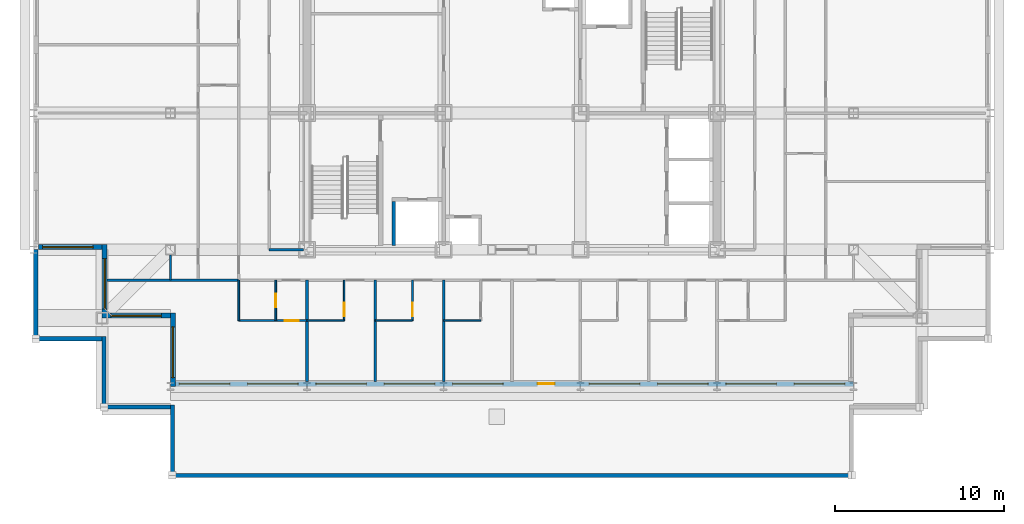
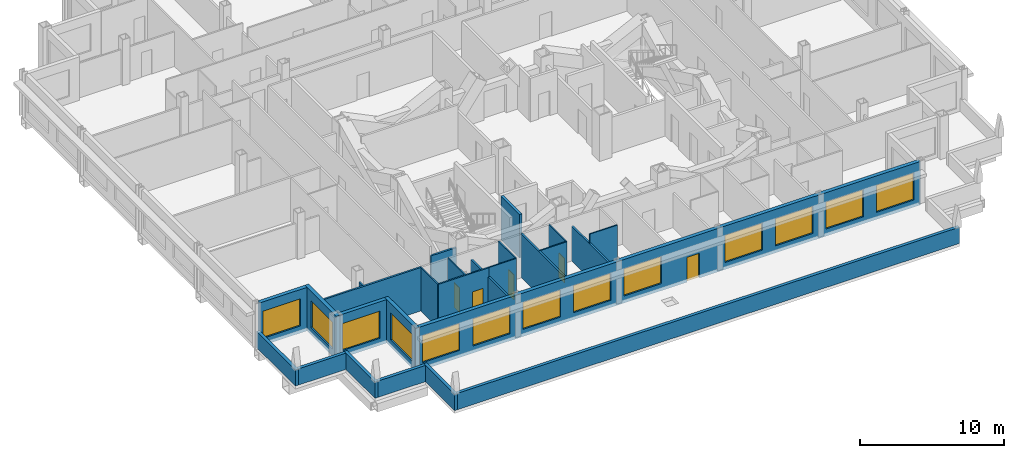
# One storey, part 7 of 15: 26 walls, 13 windows, 5 doors, 18 openings.
"""IFC4 building model written with IfcOpenShell, lengths in metres."""

from ifc_helpers import new_model, si_unit, direction, frame, frame_2d, origin, place, context, subcontext, project, spatial, rectangle, extrude, material, layer, layer_set, type_object, element, fill, save


model = new_model("IFC4")

# Units and contexts
model_context = context("Model", 3, precision=1e-05, world=origin(), true_north=direction((0.0, 1.0)))
body_context = subcontext(model_context, "Body", "Model", "MODEL_VIEW")
ifc_project = project(units=[si_unit("LENGTHUNIT", "METRE"), si_unit("AREAUNIT", "SQUARE_METRE"), si_unit("VOLUMEUNIT", "CUBIC_METRE"), si_unit("PLANEANGLEUNIT", "RADIAN"), si_unit("MASSUNIT", "GRAM", prefix="KILO")], contexts=[model_context])

# Site, building, storey
site_placement = place(None, origin())
site = spatial("IfcSite", under=ifc_project, at=site_placement, CompositionType="ELEMENT")
building_placement = place(site_placement, origin())
building = spatial("IfcBuilding", under=site, at=building_placement, Name="Kopane Lantern Tower", CompositionType="ELEMENT")
storey_placement = place(building_placement, frame((0.0, 0.0, 242.39990234375)))
storey = spatial("IfcBuildingStorey", under=building, at=storey_placement, Name="L62", CompositionType="ELEMENT", Elevation=242.39990234375)

# Wall, opening, door
ifc_material_1 = material(Name="Gypsum board on steel studs", Category="steel")
ifc_layer_1 = layer(ifc_material_1, 0.1201171875)
ifc_layer_set_1 = layer_set([ifc_layer_1], Name="APARTMENT INTERNAL WALL 120")
wall_type_1 = type_object("IfcWallType", Name="APARTMENT INTERNAL WALL 120", PredefinedType="PARTITIONING", material=ifc_layer_set_1)
wall_1_placement = place(storey_placement, frame((12.14990234375, 20.10009765625, 0.0), z_axis=(0.0, 0.0, 1.0), x_axis=(1.0, 0.0, 0.0)))
wall_1 = element("IfcWall", 1, at=wall_1_placement, inside=storey, type_object=wall_type_1, Name="Apartment Internal Wall 120 L62", PredefinedType="PARTITIONING", context=body_context, shape_type="SweptSolid", body=[
    extrude(rectangle(XDim=4.050048828125, YDim=0.1201171875, at=frame_2d((2.02490234375, 0.0))), origin(), (0.0, 0.0, 1.0), 3.690185546875),
])
opening_1_placement = place(wall_1_placement, frame((2.72509765625, 0.0, 0.0)))
opening_1 = element("IfcOpeningElement", 2, at=opening_1_placement, cuts=wall_1, Name="Opening L62-049", PredefinedType="OPENING", context=body_context, shape_type="SweptSolid", body=[
    extrude(rectangle(XDim=0.85009765625, YDim=2.10009765625, at=frame_2d((0.425048828125, 1.050048828125))), frame((0.0, 0.070068359375, 0.0), z_axis=(0.0, -1.0, 0.0), x_axis=(1.0, 0.0, 0.0)), (0.0, 0.0, 1.0), 0.14013671875),
])
ifc_material_2 = material(Name="Timber door set", Category="wood")
door_type_1 = type_object("IfcDoorType", Name="DOOR D4 850x2100", OperationType="SINGLE_SWING_LEFT", PredefinedType="DOOR", material=ifc_material_2)
door_1_placement = place(opening_1_placement, origin())
door_1 = element("IfcDoor", 3, at=door_1_placement, inside=storey, type_object=door_type_1, Name="Door L62-049", OperationType="SINGLE_SWING_LEFT", OverallHeight=2.10009765625, OverallWidth=0.85009765625, PredefinedType="DOOR", context=body_context, shape_type="SweptSolid", body=[
    extrude(rectangle(XDim=0.85009765625, YDim=2.10009765625, at=frame_2d((0.425048828125, 1.050048828125))), frame((0.0, 0.02490234375, 0.0), z_axis=(0.0, -1.0, 0.0), x_axis=(1.0, 0.0, 0.0)), (0.0, 0.0, 1.0), 0.050048828125),
])
fill(opening_1, door_1)

# Walls
wall_2_placement = place(storey_placement, frame((8.10009765625, 22.5, 0.0), z_axis=(0.0, 0.0, 1.0), x_axis=(0.0, 1.0, 0.0)))
element("IfcWall", 4, at=wall_2_placement, inside=storey, type_object=wall_type_1, Name="Apartment Internal Wall 120 L62", PredefinedType="PARTITIONING", context=body_context, shape_type="SweptSolid", body=[
    extrude(rectangle(XDim=1.5, YDim=0.1201171875, at=frame_2d((0.75, 0.0))), origin(), (0.0, 0.0, 1.0), 2.927978515625),
])
ifc_material_3 = material(Name="Moisture-resistant board on steel studs", Category="steel")
ifc_layer_2 = layer(ifc_material_3, 0.10009765625)
ifc_layer_set_2 = layer_set([ifc_layer_2], Name="BATHROOM WALL 100")
wall_type_2 = type_object("IfcWallType", Name="BATHROOM WALL 100", PredefinedType="PARTITIONING", material=ifc_layer_set_2)
wall_3_placement = place(storey_placement, frame((16.199951171875, 20.10009765625, 0.0), z_axis=(0.0, 0.0, 1.0), x_axis=(1.0, 0.0, 0.0)))
element("IfcWall", 5, at=wall_3_placement, inside=storey, type_object=wall_type_2, Name="Bathroom Wall 100 L62", PredefinedType="PARTITIONING", context=body_context, shape_type="SweptSolid", body=[
    extrude(rectangle(XDim=2.199951171875, YDim=0.10009765625, at=frame_2d((1.10009765625, 0.0))), origin(), (0.0, 0.0, 1.0), 3.690185546875),
])

# Wall, opening, door
wall_4_placement = place(storey_placement, frame((18.39990234375, 22.5, 0.0), z_axis=(0.0, 0.0, 1.0), x_axis=(0.0, -1.0, 0.0)))
wall_4 = element("IfcWall", 6, at=wall_4_placement, inside=storey, type_object=wall_type_2, Name="Bathroom Wall 100 L62", PredefinedType="PARTITIONING", context=body_context, shape_type="SweptSolid", body=[
    extrude(rectangle(XDim=2.39990234375, YDim=0.10009765625, at=frame_2d((1.199951171875, 0.0))), origin(), (0.0, 0.0, 1.0), 3.690185546875),
])
opening_2_placement = place(wall_4_placement, frame((1.35009765625, 0.0, 0.0)))
opening_2 = element("IfcOpeningElement", 7, at=opening_2_placement, cuts=wall_4, Name="Opening L62-008", PredefinedType="OPENING", context=body_context, shape_type="SweptSolid", body=[
    extrude(rectangle(XDim=0.800048828125, YDim=2.10009765625, at=frame_2d((0.39990234375, 1.050048828125))), frame((0.0, 0.06005859375, 0.0), z_axis=(0.0, -1.0, 0.0), x_axis=(1.0, 0.0, 0.0)), (0.0, 0.0, 1.0), 0.1201171875),
])
ifc_material_4 = material(Name="Timber door set", Category="wood")
door_type_2 = type_object("IfcDoorType", Name="DOOR D2 800x2100", OperationType="SINGLE_SWING_LEFT", PredefinedType="DOOR", material=ifc_material_4)
door_2_placement = place(opening_2_placement, origin())
door_2 = element("IfcDoor", 8, at=door_2_placement, inside=storey, type_object=door_type_2, Name="Door L62-008", OperationType="SINGLE_SWING_LEFT", OverallHeight=2.10009765625, OverallWidth=0.800048828125, PredefinedType="DOOR", context=body_context, shape_type="SweptSolid", body=[
    extrude(rectangle(XDim=0.800048828125, YDim=2.10009765625, at=frame_2d((0.39990234375, 1.050048828125))), frame((0.0, 0.02490234375, 0.0), z_axis=(0.0, -1.0, 0.0), x_axis=(1.0, 0.0, 0.0)), (0.0, 0.0, 1.0), 0.050048828125),
])
fill(opening_2, door_2)

# Wall
wall_5_placement = place(storey_placement, frame((20.25, 20.10009765625, 0.0), z_axis=(0.0, 0.0, 1.0), x_axis=(1.0, 0.0, 0.0)))
element("IfcWall", 9, at=wall_5_placement, inside=storey, type_object=wall_type_2, Name="Bathroom Wall 100 L62", PredefinedType="PARTITIONING", context=body_context, shape_type="SweptSolid", body=[
    extrude(rectangle(XDim=2.199951171875, YDim=0.10009765625, at=frame_2d((1.10009765625, 0.0))), origin(), (0.0, 0.0, 1.0), 3.690185546875),
])

# Wall, opening, door
wall_6_placement = place(storey_placement, frame((22.449951171875, 22.5, 0.0), z_axis=(0.0, 0.0, 1.0), x_axis=(0.0, -1.0, 0.0)))
wall_6 = element("IfcWall", 10, at=wall_6_placement, inside=storey, type_object=wall_type_2, Name="Bathroom Wall 100 L62", PredefinedType="PARTITIONING", context=body_context, shape_type="SweptSolid", body=[
    extrude(rectangle(XDim=2.39990234375, YDim=0.10009765625, at=frame_2d((1.199951171875, 0.0))), origin(), (0.0, 0.0, 1.0), 3.690185546875),
])
opening_3_placement = place(wall_6_placement, frame((1.35009765625, 0.0, 0.0)))
opening_3 = element("IfcOpeningElement", 11, at=opening_3_placement, cuts=wall_6, Name="Opening L62-010", PredefinedType="OPENING", context=body_context, shape_type="SweptSolid", body=[
    extrude(rectangle(XDim=0.800048828125, YDim=2.10009765625, at=frame_2d((0.39990234375, 1.050048828125))), frame((0.0, 0.06005859375, 0.0), z_axis=(0.0, -1.0, 0.0), x_axis=(1.0, 0.0, 0.0)), (0.0, 0.0, 1.0), 0.1201171875),
])
door_3_placement = place(opening_3_placement, origin())
door_3 = element("IfcDoor", 12, at=door_3_placement, inside=storey, type_object=door_type_2, Name="Door L62-010", OperationType="SINGLE_SWING_LEFT", OverallHeight=2.10009765625, OverallWidth=0.800048828125, PredefinedType="DOOR", context=body_context, shape_type="SweptSolid", body=[
    extrude(rectangle(XDim=0.800048828125, YDim=2.10009765625, at=frame_2d((0.39990234375, 1.050048828125))), frame((0.0, 0.02490234375, 0.0), z_axis=(0.0, -1.0, 0.0), x_axis=(1.0, 0.0, 0.0)), (0.0, 0.0, 1.0), 0.050048828125),
])
fill(opening_3, door_3)

# Wall
wall_7_placement = place(storey_placement, frame((24.300048828125, 20.10009765625, 0.0), z_axis=(0.0, 0.0, 1.0), x_axis=(1.0, 0.0, 0.0)))
element("IfcWall", 13, at=wall_7_placement, inside=storey, type_object=wall_type_2, Name="Bathroom Wall 100 L62", PredefinedType="PARTITIONING", context=body_context, shape_type="SweptSolid", body=[
    extrude(rectangle(XDim=2.199951171875, YDim=0.10009765625, at=frame_2d((1.10009765625, 0.0))), origin(), (0.0, 0.0, 1.0), 3.690185546875),
])

# Wall, opening, door
wall_8_placement = place(storey_placement, frame((14.35009765625, 22.5, 0.0), z_axis=(0.0, 0.0, 1.0), x_axis=(0.0, -1.0, 0.0)))
wall_8 = element("IfcWall", 14, at=wall_8_placement, inside=storey, type_object=wall_type_2, Name="Bathroom Wall 100 L62", PredefinedType="PARTITIONING", context=body_context, shape_type="SweptSolid", body=[
    extrude(rectangle(XDim=2.39990234375, YDim=0.10009765625, at=frame_2d((1.199951171875, 0.0))), origin(), (0.0, 0.0, 1.0), 3.690185546875),
])
opening_4_placement = place(wall_8_placement, frame((0.800048828125, 0.0, 0.0)))
opening_4 = element("IfcOpeningElement", 15, at=opening_4_placement, cuts=wall_8, Name="Opening L62-047", PredefinedType="OPENING", context=body_context, shape_type="SweptSolid", body=[
    extrude(rectangle(XDim=0.800048828125, YDim=2.10009765625, at=frame_2d((0.39990234375, 1.050048828125))), frame((0.0, 0.06005859375, 0.0), z_axis=(0.0, -1.0, 0.0), x_axis=(1.0, 0.0, 0.0)), (0.0, 0.0, 1.0), 0.1201171875),
])
door_4_placement = place(opening_4_placement, origin())
door_4 = element("IfcDoor", 16, at=door_4_placement, inside=storey, type_object=door_type_2, Name="Door L62-047", OperationType="SINGLE_SWING_RIGHT", OverallHeight=2.10009765625, OverallWidth=0.800048828125, PredefinedType="DOOR", context=body_context, shape_type="SweptSolid", body=[
    extrude(rectangle(XDim=0.800048828125, YDim=2.10009765625, at=frame_2d((0.39990234375, 1.050048828125))), frame((0.0, 0.02490234375, 0.0), z_axis=(0.0, -1.0, 0.0), x_axis=(1.0, 0.0, 0.0)), (0.0, 0.0, 1.0), 0.050048828125),
])
fill(opening_4, door_4)

# Walls
wall_9_placement = place(storey_placement, frame((12.14990234375, 22.5, 0.0), z_axis=(0.0, 0.0, 1.0), x_axis=(0.0, -1.0, 0.0)))
element("IfcWall", 17, at=wall_9_placement, inside=storey, type_object=wall_type_2, Name="Bathroom Wall 100 L62", PredefinedType="PARTITIONING", context=body_context, shape_type="SweptSolid", body=[
    extrude(rectangle(XDim=2.39990234375, YDim=0.10009765625, at=frame_2d((1.199951171875, 0.0))), origin(), (0.0, 0.0, 1.0), 3.690185546875),
])
ifc_material_5 = material(Name="Gypsum board on steel studs", Category="steel")
ifc_layer_3 = layer(ifc_material_5, 0.14990234375)
ifc_layer_set_3 = layer_set([ifc_layer_3], Name="CORRIDOR WALL 150 EI 60")
wall_type_3 = type_object("IfcWallType", Name="CORRIDOR WALL 150 EI 60", PredefinedType="PARTITIONING", material=ifc_layer_set_3)
wall_10_placement = place(storey_placement, frame((13.949951171875, 24.300048828125, 0.0), z_axis=(0.0, 0.0, 1.0), x_axis=(1.0, 0.0, 0.0)))
element("IfcWall", 18, at=wall_10_placement, inside=storey, type_object=wall_type_3, Name="Corridor Wall 150 Ei 60 L62", PredefinedType="PARTITIONING", context=body_context, shape_type="SweptSolid", body=[
    extrude(rectangle(XDim=2.050048828125, YDim=0.14990234375, at=frame_2d((1.02490234375, 0.0))), origin(), (0.0, 0.0, 1.0), 2.927978515625),
])
ifc_material_6 = material(Name="Gypsum board on steel studs", Category="steel")
ifc_layer_4 = layer(ifc_material_6, 0.14990234375)
ifc_layer_set_4 = layer_set([ifc_layer_4], Name="DEMISING WALL 150 EI 60")
wall_type_4 = type_object("IfcWallType", Name="DEMISING WALL 150 EI 60", PredefinedType="PARTITIONING", material=ifc_layer_set_4)
wall_11_placement = place(storey_placement, frame((20.25, 22.5, 0.0), z_axis=(0.0, 0.0, 1.0), x_axis=(0.0, -1.0, 0.0)))
element("IfcWall", 19, at=wall_11_placement, inside=storey, type_object=wall_type_4, Name="Demising Wall 150 Ei 60 L62", PredefinedType="PARTITIONING", context=body_context, shape_type="SweptSolid", body=[
    extrude(rectangle(XDim=6.0, YDim=0.14990234375, at=frame_2d((3.0, 0.0))), origin(), (0.0, 0.0, 1.0), 3.690185546875),
])
wall_12_placement = place(storey_placement, frame((24.300048828125, 22.5, 0.0), z_axis=(0.0, 0.0, 1.0), x_axis=(0.0, -1.0, 0.0)))
element("IfcWall", 20, at=wall_12_placement, inside=storey, type_object=wall_type_4, Name="Demising Wall 150 Ei 60 L62", PredefinedType="PARTITIONING", context=body_context, shape_type="SweptSolid", body=[
    extrude(rectangle(XDim=6.0, YDim=0.14990234375, at=frame_2d((3.0, 0.0))), origin(), (0.0, 0.0, 1.0), 2.927978515625),
])
wall_13_placement = place(storey_placement, frame((4.35009765625, 22.5, 0.0), z_axis=(0.0, 0.0, 1.0), x_axis=(1.0, 0.0, 0.0)))
element("IfcWall", 21, at=wall_13_placement, inside=storey, type_object=wall_type_4, Name="Demising Wall 150 Ei 60 L62", PredefinedType="PARTITIONING", context=body_context, shape_type="SweptSolid", body=[
    extrude(rectangle(XDim=7.7998046875, YDim=0.14990234375, at=frame_2d((3.89990234375, 0.0))), origin(), (0.0, 0.0, 1.0), 3.690185546875),
])
wall_14_placement = place(storey_placement, frame((16.199951171875, 22.5, 0.0), z_axis=(0.0, 0.0, 1.0), x_axis=(0.0, -1.0, 0.0)))
element("IfcWall", 22, at=wall_14_placement, inside=storey, type_object=wall_type_4, Name="Demising Wall 150 Ei 60 L62", PredefinedType="PARTITIONING", context=body_context, shape_type="SweptSolid", body=[
    extrude(rectangle(XDim=6.0, YDim=0.14990234375, at=frame_2d((3.0, 0.0))), origin(), (0.0, 0.0, 1.0), 2.927978515625),
])

# Wall, openings, windows, door
ifc_material_7 = material(Name="Terracotta rainscreen on light steel framing", Category="masonry")
ifc_layer_5 = layer(ifc_material_7, 0.300048828125)
ifc_layer_set_5 = layer_set([ifc_layer_5], Name="EXTERNAL WALL EW1 300 TERRACOTTA")
wall_type_5 = type_object("IfcWallType", Name="EXTERNAL WALL EW1 300 TERRACOTTA", PredefinedType="SOLIDWALL", material=ifc_layer_set_5)
wall_15_placement = place(storey_placement, frame((8.39990234375, 16.35009765625, 0.0), z_axis=(0.0, 0.0, 1.0), x_axis=(1.0, 0.0, 0.0)))
wall_15 = element("IfcWall", 23, at=wall_15_placement, inside=storey, type_object=wall_type_5, Name="External wall S L62", PredefinedType="SOLIDWALL", context=body_context, shape_type="SweptSolid", body=[
    extrude(rectangle(XDim=40.2001953125, YDim=0.300048828125, at=frame_2d((20.10009765625, 0.0))), origin(), (0.0, 0.0, 1.0), 3.690185546875),
])
opening_5_placement = place(wall_15_placement, frame((21.47509765625, 0.0, 0.0)))
opening_5 = element("IfcOpeningElement", 24, at=opening_5_placement, cuts=wall_15, Name="Opening L62-E01", PredefinedType="OPENING", context=body_context, shape_type="SweptSolid", body=[
    extrude(rectangle(XDim=1.0, YDim=2.10009765625, at=frame_2d((0.5, 1.050048828125))), frame((0.0, 0.159912109375, 0.0), z_axis=(0.0, -1.0, 0.0), x_axis=(1.0, 0.0, 0.0)), (0.0, 0.0, 1.0), 0.320068359375),
])
opening_6_placement = place(wall_15_placement, frame((0.22509765625, 0.0, 0.60009765625)))
opening_6 = element("IfcOpeningElement", 25, at=opening_6_placement, cuts=wall_15, Name="Opening WR300230", PredefinedType="OPENING", context=body_context, shape_type="SweptSolid", body=[
    extrude(rectangle(XDim=3.0, YDim=2.300048828125, at=frame_2d((1.5, 1.14990234375))), frame((0.0, 0.159912109375, 0.0), z_axis=(0.0, -1.0, 0.0), x_axis=(1.0, 0.0, 0.0)), (0.0, 0.0, 1.0), 0.320068359375),
])
opening_7_placement = place(wall_15_placement, frame((4.27490234375, 0.0, 0.60009765625)))
opening_7 = element("IfcOpeningElement", 26, at=opening_7_placement, cuts=wall_15, Name="Opening WR300230", PredefinedType="OPENING", context=body_context, shape_type="SweptSolid", body=[
    extrude(rectangle(XDim=3.0, YDim=2.300048828125, at=frame_2d((1.5, 1.14990234375))), frame((0.0, 0.159912109375, 0.0), z_axis=(0.0, -1.0, 0.0), x_axis=(1.0, 0.0, 0.0)), (0.0, 0.0, 1.0), 0.320068359375),
])
opening_8_placement = place(wall_15_placement, frame((8.324951171875, 0.0, 0.60009765625)))
opening_8 = element("IfcOpeningElement", 27, at=opening_8_placement, cuts=wall_15, Name="Opening WR300230", PredefinedType="OPENING", context=body_context, shape_type="SweptSolid", body=[
    extrude(rectangle(XDim=3.0, YDim=2.300048828125, at=frame_2d((1.5, 1.14990234375))), frame((0.0, 0.159912109375, 0.0), z_axis=(0.0, -1.0, 0.0), x_axis=(1.0, 0.0, 0.0)), (0.0, 0.0, 1.0), 0.320068359375),
])
opening_9_placement = place(wall_15_placement, frame((12.375, 0.0, 0.60009765625)))
opening_9 = element("IfcOpeningElement", 28, at=opening_9_placement, cuts=wall_15, Name="Opening WR300230", PredefinedType="OPENING", context=body_context, shape_type="SweptSolid", body=[
    extrude(rectangle(XDim=3.0, YDim=2.300048828125, at=frame_2d((1.5, 1.14990234375))), frame((0.0, 0.159912109375, 0.0), z_axis=(0.0, -1.0, 0.0), x_axis=(1.0, 0.0, 0.0)), (0.0, 0.0, 1.0), 0.320068359375),
])
opening_10_placement = place(wall_15_placement, frame((16.425048828125, 0.0, 0.60009765625)))
opening_10 = element("IfcOpeningElement", 29, at=opening_10_placement, cuts=wall_15, Name="Opening WR300230", PredefinedType="OPENING", context=body_context, shape_type="SweptSolid", body=[
    extrude(rectangle(XDim=3.0, YDim=2.300048828125, at=frame_2d((1.5, 1.14990234375))), frame((0.0, 0.159912109375, 0.0), z_axis=(0.0, -1.0, 0.0), x_axis=(1.0, 0.0, 0.0)), (0.0, 0.0, 1.0), 0.320068359375),
])
opening_11_placement = place(wall_15_placement, frame((24.52490234375, 0.0, 0.60009765625)))
opening_11 = element("IfcOpeningElement", 30, at=opening_11_placement, cuts=wall_15, Name="Opening WR300230", PredefinedType="OPENING", context=body_context, shape_type="SweptSolid", body=[
    extrude(rectangle(XDim=3.0, YDim=2.300048828125, at=frame_2d((1.5, 1.14990234375))), frame((0.0, 0.159912109375, 0.0), z_axis=(0.0, -1.0, 0.0), x_axis=(1.0, 0.0, 0.0)), (0.0, 0.0, 1.0), 0.320068359375),
])
opening_12_placement = place(wall_15_placement, frame((28.574951171875, 0.0, 0.60009765625)))
opening_12 = element("IfcOpeningElement", 31, at=opening_12_placement, cuts=wall_15, Name="Opening WR300230", PredefinedType="OPENING", context=body_context, shape_type="SweptSolid", body=[
    extrude(rectangle(XDim=3.0, YDim=2.300048828125, at=frame_2d((1.5, 1.14990234375))), frame((0.0, 0.159912109375, 0.0), z_axis=(0.0, -1.0, 0.0), x_axis=(1.0, 0.0, 0.0)), (0.0, 0.0, 1.0), 0.320068359375),
])
opening_13_placement = place(wall_15_placement, frame((32.625, 0.0, 0.60009765625)))
opening_13 = element("IfcOpeningElement", 32, at=opening_13_placement, cuts=wall_15, Name="Opening WR300230", PredefinedType="OPENING", context=body_context, shape_type="SweptSolid", body=[
    extrude(rectangle(XDim=3.0, YDim=2.300048828125, at=frame_2d((1.5, 1.14990234375))), frame((0.0, 0.159912109375, 0.0), z_axis=(0.0, -1.0, 0.0), x_axis=(1.0, 0.0, 0.0)), (0.0, 0.0, 1.0), 0.320068359375),
])
opening_14_placement = place(wall_15_placement, frame((36.675048828125, 0.0, 0.60009765625)))
opening_14 = element("IfcOpeningElement", 33, at=opening_14_placement, cuts=wall_15, Name="Opening WR300230", PredefinedType="OPENING", context=body_context, shape_type="SweptSolid", body=[
    extrude(rectangle(XDim=3.0, YDim=2.300048828125, at=frame_2d((1.5, 1.14990234375))), frame((0.0, 0.159912109375, 0.0), z_axis=(0.0, -1.0, 0.0), x_axis=(1.0, 0.0, 0.0)), (0.0, 0.0, 1.0), 0.320068359375),
])
ifc_material_8 = material(Name="Aluminium and clear glass", Category="aluminium")
window_type = type_object("IfcWindowType", Name="RIBBON WINDOW WR300230 3000x2300", PartitioningType="SINGLE_PANEL", PredefinedType="WINDOW", material=ifc_material_8)
window_1_placement = place(opening_6_placement, origin())
window_1 = element("IfcWindow", 34, at=window_1_placement, inside=storey, type_object=window_type, Name="Window S L62", OverallHeight=2.300048828125, OverallWidth=3.0, PartitioningType="SINGLE_PANEL", PredefinedType="WINDOW", context=body_context, shape_type="SweptSolid", body=[
    extrude(rectangle(XDim=3.0, YDim=2.300048828125, at=frame_2d((1.5, 1.14990234375))), frame((0.0, 0.030029296875, 0.0), z_axis=(0.0, -1.0, 0.0), x_axis=(1.0, 0.0, 0.0)), (0.0, 0.0, 1.0), 0.06005859375),
])
fill(opening_6, window_1)
window_2_placement = place(opening_7_placement, origin())
window_2 = element("IfcWindow", 35, at=window_2_placement, inside=storey, type_object=window_type, Name="Window S L62", OverallHeight=2.300048828125, OverallWidth=3.0, PartitioningType="SINGLE_PANEL", PredefinedType="WINDOW", context=body_context, shape_type="SweptSolid", body=[
    extrude(rectangle(XDim=3.0, YDim=2.300048828125, at=frame_2d((1.5, 1.14990234375))), frame((0.0, 0.030029296875, 0.0), z_axis=(0.0, -1.0, 0.0), x_axis=(1.0, 0.0, 0.0)), (0.0, 0.0, 1.0), 0.06005859375),
])
fill(opening_7, window_2)
window_3_placement = place(opening_8_placement, origin())
window_3 = element("IfcWindow", 36, at=window_3_placement, inside=storey, type_object=window_type, Name="Window S L62", OverallHeight=2.300048828125, OverallWidth=3.0, PartitioningType="SINGLE_PANEL", PredefinedType="WINDOW", context=body_context, shape_type="SweptSolid", body=[
    extrude(rectangle(XDim=3.0, YDim=2.300048828125, at=frame_2d((1.5, 1.14990234375))), frame((0.0, 0.030029296875, 0.0), z_axis=(0.0, -1.0, 0.0), x_axis=(1.0, 0.0, 0.0)), (0.0, 0.0, 1.0), 0.06005859375),
])
fill(opening_8, window_3)
window_4_placement = place(opening_9_placement, origin())
window_4 = element("IfcWindow", 37, at=window_4_placement, inside=storey, type_object=window_type, Name="Window S L62", OverallHeight=2.300048828125, OverallWidth=3.0, PartitioningType="SINGLE_PANEL", PredefinedType="WINDOW", context=body_context, shape_type="SweptSolid", body=[
    extrude(rectangle(XDim=3.0, YDim=2.300048828125, at=frame_2d((1.5, 1.14990234375))), frame((0.0, 0.030029296875, 0.0), z_axis=(0.0, -1.0, 0.0), x_axis=(1.0, 0.0, 0.0)), (0.0, 0.0, 1.0), 0.06005859375),
])
fill(opening_9, window_4)
window_5_placement = place(opening_10_placement, origin())
window_5 = element("IfcWindow", 38, at=window_5_placement, inside=storey, type_object=window_type, Name="Window S L62", OverallHeight=2.300048828125, OverallWidth=3.0, PartitioningType="SINGLE_PANEL", PredefinedType="WINDOW", context=body_context, shape_type="SweptSolid", body=[
    extrude(rectangle(XDim=3.0, YDim=2.300048828125, at=frame_2d((1.5, 1.14990234375))), frame((0.0, 0.030029296875, 0.0), z_axis=(0.0, -1.0, 0.0), x_axis=(1.0, 0.0, 0.0)), (0.0, 0.0, 1.0), 0.06005859375),
])
fill(opening_10, window_5)
window_6_placement = place(opening_11_placement, origin())
window_6 = element("IfcWindow", 39, at=window_6_placement, inside=storey, type_object=window_type, Name="Window S L62", OverallHeight=2.300048828125, OverallWidth=3.0, PartitioningType="SINGLE_PANEL", PredefinedType="WINDOW", context=body_context, shape_type="SweptSolid", body=[
    extrude(rectangle(XDim=3.0, YDim=2.300048828125, at=frame_2d((1.5, 1.14990234375))), frame((0.0, 0.030029296875, 0.0), z_axis=(0.0, -1.0, 0.0), x_axis=(1.0, 0.0, 0.0)), (0.0, 0.0, 1.0), 0.06005859375),
])
fill(opening_11, window_6)
window_7_placement = place(opening_12_placement, origin())
window_7 = element("IfcWindow", 40, at=window_7_placement, inside=storey, type_object=window_type, Name="Window S L62", OverallHeight=2.300048828125, OverallWidth=3.0, PartitioningType="SINGLE_PANEL", PredefinedType="WINDOW", context=body_context, shape_type="SweptSolid", body=[
    extrude(rectangle(XDim=3.0, YDim=2.300048828125, at=frame_2d((1.5, 1.14990234375))), frame((0.0, 0.030029296875, 0.0), z_axis=(0.0, -1.0, 0.0), x_axis=(1.0, 0.0, 0.0)), (0.0, 0.0, 1.0), 0.06005859375),
])
fill(opening_12, window_7)
window_8_placement = place(opening_13_placement, origin())
window_8 = element("IfcWindow", 41, at=window_8_placement, inside=storey, type_object=window_type, Name="Window S L62", OverallHeight=2.300048828125, OverallWidth=3.0, PartitioningType="SINGLE_PANEL", PredefinedType="WINDOW", context=body_context, shape_type="SweptSolid", body=[
    extrude(rectangle(XDim=3.0, YDim=2.300048828125, at=frame_2d((1.5, 1.14990234375))), frame((0.0, 0.030029296875, 0.0), z_axis=(0.0, -1.0, 0.0), x_axis=(1.0, 0.0, 0.0)), (0.0, 0.0, 1.0), 0.06005859375),
])
fill(opening_13, window_8)
window_9_placement = place(opening_14_placement, origin())
window_9 = element("IfcWindow", 42, at=window_9_placement, inside=storey, type_object=window_type, Name="Window S L62", OverallHeight=2.300048828125, OverallWidth=3.0, PartitioningType="SINGLE_PANEL", PredefinedType="WINDOW", context=body_context, shape_type="SweptSolid", body=[
    extrude(rectangle(XDim=3.0, YDim=2.300048828125, at=frame_2d((1.5, 1.14990234375))), frame((0.0, 0.030029296875, 0.0), z_axis=(0.0, -1.0, 0.0), x_axis=(1.0, 0.0, 0.0)), (0.0, 0.0, 1.0), 0.06005859375),
])
fill(opening_14, window_9)
ifc_material_9 = material(Name="Insulated steel door set", Category="steel")
door_type_3 = type_object("IfcDoorType", Name="ROOF ACCESS DOOR ED1021 1000x2100", OperationType="SINGLE_SWING_LEFT", PredefinedType="DOOR", material=ifc_material_9)
door_5_placement = place(opening_5_placement, origin())
door_5 = element("IfcDoor", 43, at=door_5_placement, inside=storey, type_object=door_type_3, Name="Roof access door L62-E01", OperationType="SINGLE_SWING_RIGHT", OverallHeight=2.10009765625, OverallWidth=1.0, PredefinedType="DOOR", context=body_context, shape_type="SweptSolid", body=[
    extrude(rectangle(XDim=1.0, YDim=2.10009765625, at=frame_2d((0.5, 1.050048828125))), frame((0.0, 0.02490234375, 0.0), z_axis=(0.0, -1.0, 0.0), x_axis=(1.0, 0.0, 0.0)), (0.0, 0.0, 1.0), 0.050048828125),
])
fill(opening_5, door_5)

# Wall, opening, window
wall_16_placement = place(storey_placement, frame((0.300048828125, 24.449951171875, 0.0), z_axis=(0.0, 0.0, 1.0), x_axis=(1.0, 0.0, 0.0)))
wall_16 = element("IfcWall", 44, at=wall_16_placement, inside=storey, type_object=wall_type_5, Name="External wall S L62", PredefinedType="SOLIDWALL", context=body_context, shape_type="SweptSolid", body=[
    extrude(rectangle(XDim=3.75, YDim=0.300048828125, at=frame_2d((1.875, 0.0))), origin(), (0.0, 0.0, 1.0), 3.690185546875),
])
opening_15_placement = place(wall_16_placement, frame((0.22509765625, 0.0, 0.60009765625)))
opening_15 = element("IfcOpeningElement", 45, at=opening_15_placement, cuts=wall_16, Name="Opening WR300230", PredefinedType="OPENING", context=body_context, shape_type="SweptSolid", body=[
    extrude(rectangle(XDim=3.0, YDim=2.300048828125, at=frame_2d((1.5, 1.14990234375))), frame((0.0, 0.159912109375, 0.0), z_axis=(0.0, -1.0, 0.0), x_axis=(1.0, 0.0, 0.0)), (0.0, 0.0, 1.0), 0.320068359375),
])
window_10_placement = place(opening_15_placement, origin())
window_10 = element("IfcWindow", 46, at=window_10_placement, inside=storey, type_object=window_type, Name="Window S L62", OverallHeight=2.300048828125, OverallWidth=3.0, PartitioningType="SINGLE_PANEL", PredefinedType="WINDOW", context=body_context, shape_type="SweptSolid", body=[
    extrude(rectangle(XDim=3.0, YDim=2.300048828125, at=frame_2d((1.5, 1.14990234375))), frame((0.0, 0.030029296875, 0.0), z_axis=(0.0, -1.0, 0.0), x_axis=(1.0, 0.0, 0.0)), (0.0, 0.0, 1.0), 0.06005859375),
])
fill(opening_15, window_10)

wall_17_placement = place(storey_placement, frame((4.199951171875, 24.60009765625, 0.0), z_axis=(0.0, 0.0, 1.0), x_axis=(0.0, -1.0, 0.0)))
wall_17 = element("IfcWall", 47, at=wall_17_placement, inside=storey, type_object=wall_type_5, Name="External wall W L62", PredefinedType="SOLIDWALL", context=body_context, shape_type="SweptSolid", body=[
    extrude(rectangle(XDim=4.35009765625, YDim=0.300048828125, at=frame_2d((2.175048828125, 0.0))), origin(), (0.0, 0.0, 1.0), 3.690185546875),
])
opening_16_placement = place(wall_17_placement, frame((0.824951171875, 0.0, 0.60009765625)))
opening_16 = element("IfcOpeningElement", 48, at=opening_16_placement, cuts=wall_17, Name="Opening WR300230", PredefinedType="OPENING", context=body_context, shape_type="SweptSolid", body=[
    extrude(rectangle(XDim=3.0, YDim=2.300048828125, at=frame_2d((1.5, 1.14990234375))), frame((0.0, 0.159912109375, 0.0), z_axis=(0.0, -1.0, 0.0), x_axis=(1.0, 0.0, 0.0)), (0.0, 0.0, 1.0), 0.320068359375),
])
window_11_placement = place(opening_16_placement, origin())
window_11 = element("IfcWindow", 49, at=window_11_placement, inside=storey, type_object=window_type, Name="Window W L62", OverallHeight=2.300048828125, OverallWidth=3.0, PartitioningType="SINGLE_PANEL", PredefinedType="WINDOW", context=body_context, shape_type="SweptSolid", body=[
    extrude(rectangle(XDim=3.0, YDim=2.300048828125, at=frame_2d((1.5, 1.14990234375))), frame((0.0, 0.030029296875, 0.0), z_axis=(0.0, -1.0, 0.0), x_axis=(1.0, 0.0, 0.0)), (0.0, 0.0, 1.0), 0.06005859375),
])
fill(opening_16, window_11)

wall_18_placement = place(storey_placement, frame((4.35009765625, 20.39990234375, 0.0), z_axis=(0.0, 0.0, 1.0), x_axis=(1.0, 0.0, 0.0)))
wall_18 = element("IfcWall", 50, at=wall_18_placement, inside=storey, type_object=wall_type_5, Name="External wall S L62", PredefinedType="SOLIDWALL", context=body_context, shape_type="SweptSolid", body=[
    extrude(rectangle(XDim=3.75, YDim=0.300048828125, at=frame_2d((1.875, 0.0))), origin(), (0.0, 0.0, 1.0), 3.690185546875),
])
opening_17_placement = place(wall_18_placement, frame((0.22509765625, 0.0, 0.60009765625)))
opening_17 = element("IfcOpeningElement", 51, at=opening_17_placement, cuts=wall_18, Name="Opening WR300230", PredefinedType="OPENING", context=body_context, shape_type="SweptSolid", body=[
    extrude(rectangle(XDim=3.0, YDim=2.300048828125, at=frame_2d((1.5, 1.14990234375))), frame((0.0, 0.159912109375, 0.0), z_axis=(0.0, -1.0, 0.0), x_axis=(1.0, 0.0, 0.0)), (0.0, 0.0, 1.0), 0.320068359375),
])
window_12_placement = place(opening_17_placement, origin())
window_12 = element("IfcWindow", 52, at=window_12_placement, inside=storey, type_object=window_type, Name="Window S L62", OverallHeight=2.300048828125, OverallWidth=3.0, PartitioningType="SINGLE_PANEL", PredefinedType="WINDOW", context=body_context, shape_type="SweptSolid", body=[
    extrude(rectangle(XDim=3.0, YDim=2.300048828125, at=frame_2d((1.5, 1.14990234375))), frame((0.0, 0.030029296875, 0.0), z_axis=(0.0, -1.0, 0.0), x_axis=(1.0, 0.0, 0.0)), (0.0, 0.0, 1.0), 0.06005859375),
])
fill(opening_17, window_12)

wall_19_placement = place(storey_placement, frame((8.25, 20.550048828125, 0.0), z_axis=(0.0, 0.0, 1.0), x_axis=(0.0, -1.0, 0.0)))
wall_19 = element("IfcWall", 53, at=wall_19_placement, inside=storey, type_object=wall_type_5, Name="External wall W L62", PredefinedType="SOLIDWALL", context=body_context, shape_type="SweptSolid", body=[
    extrude(rectangle(XDim=4.35009765625, YDim=0.300048828125, at=frame_2d((2.175048828125, 0.0))), origin(), (0.0, 0.0, 1.0), 3.690185546875),
])
opening_18_placement = place(wall_19_placement, frame((0.824951171875, 0.0, 0.60009765625)))
opening_18 = element("IfcOpeningElement", 54, at=opening_18_placement, cuts=wall_19, Name="Opening WR300230", PredefinedType="OPENING", context=body_context, shape_type="SweptSolid", body=[
    extrude(rectangle(XDim=3.0, YDim=2.300048828125, at=frame_2d((1.5, 1.14990234375))), frame((0.0, 0.159912109375, 0.0), z_axis=(0.0, -1.0, 0.0), x_axis=(1.0, 0.0, 0.0)), (0.0, 0.0, 1.0), 0.320068359375),
])
window_13_placement = place(opening_18_placement, origin())
window_13 = element("IfcWindow", 55, at=window_13_placement, inside=storey, type_object=window_type, Name="Window W L62", OverallHeight=2.300048828125, OverallWidth=3.0, PartitioningType="SINGLE_PANEL", PredefinedType="WINDOW", context=body_context, shape_type="SweptSolid", body=[
    extrude(rectangle(XDim=3.0, YDim=2.300048828125, at=frame_2d((1.5, 1.14990234375))), frame((0.0, 0.030029296875, 0.0), z_axis=(0.0, -1.0, 0.0), x_axis=(1.0, 0.0, 0.0)), (0.0, 0.0, 1.0), 0.06005859375),
])
fill(opening_18, window_13)

# Walls
ifc_material_10 = material(Name="Terracotta rainscreen on light steel framing", Category="masonry")
ifc_layer_6 = layer(ifc_material_10, 0.25)
ifc_layer_set_6 = layer_set([ifc_layer_6], Name="PARAPET PW1 250 TERRACOTTA")
wall_type_6 = type_object("IfcWallType", Name="PARAPET PW1 250 TERRACOTTA", PredefinedType="PARAPET", material=ifc_layer_set_6)
wall_20_placement = place(storey_placement, frame((0.125, 24.300048828125, 0.0), z_axis=(0.0, 0.0, 1.0), x_axis=(0.0, -1.0, 0.0)))
element("IfcWall", 56, at=wall_20_placement, inside=storey, type_object=wall_type_6, Name="Parapet L62", PredefinedType="PARAPET", context=body_context, shape_type="SweptSolid", body=[
    extrude(rectangle(XDim=5.400146484375, YDim=0.25, at=frame_2d((2.7001953125, 0.0))), origin(), (0.0, 0.0, 1.0), 1.380126953125),
])
wall_21_placement = place(storey_placement, frame((0.25, 19.02490234375, 0.0), z_axis=(0.0, 0.0, 1.0), x_axis=(1.0, 0.0, 0.0)))
element("IfcWall", 57, at=wall_21_placement, inside=storey, type_object=wall_type_6, Name="Parapet L62", PredefinedType="PARAPET", context=body_context, shape_type="SweptSolid", body=[
    extrude(rectangle(XDim=3.800048828125, YDim=0.25, at=frame_2d((1.89990234375, 0.0))), origin(), (0.0, 0.0, 1.0), 1.380126953125),
])
wall_22_placement = place(storey_placement, frame((4.175048828125, 19.14990234375, 0.0), z_axis=(0.0, 0.0, 1.0), x_axis=(0.0, -1.0, 0.0)))
element("IfcWall", 58, at=wall_22_placement, inside=storey, type_object=wall_type_6, Name="Parapet L62", PredefinedType="PARAPET", context=body_context, shape_type="SweptSolid", body=[
    extrude(rectangle(XDim=4.2998046875, YDim=0.25, at=frame_2d((2.14990234375, 0.0))), origin(), (0.0, 0.0, 1.0), 1.380126953125),
])
wall_23_placement = place(storey_placement, frame((4.300048828125, 14.97509765625, 0.0), z_axis=(0.0, 0.0, 1.0), x_axis=(1.0, 0.0, 0.0)))
element("IfcWall", 59, at=wall_23_placement, inside=storey, type_object=wall_type_6, Name="Parapet L62", PredefinedType="PARAPET", context=body_context, shape_type="SweptSolid", body=[
    extrude(rectangle(XDim=3.800048828125, YDim=0.25, at=frame_2d((1.89990234375, 0.0))), origin(), (0.0, 0.0, 1.0), 1.380126953125),
])
wall_24_placement = place(storey_placement, frame((8.22509765625, 15.10009765625, 0.0), z_axis=(0.0, 0.0, 1.0), x_axis=(0.0, -1.0, 0.0)))
element("IfcWall", 60, at=wall_24_placement, inside=storey, type_object=wall_type_6, Name="Parapet L62", PredefinedType="PARAPET", context=body_context, shape_type="SweptSolid", body=[
    extrude(rectangle(XDim=4.300048828125, YDim=0.25, at=frame_2d((2.14990234375, 0.0))), origin(), (0.0, 0.0, 1.0), 1.380126953125),
])
wall_25_placement = place(storey_placement, frame((8.35009765625, 10.925048828125, 0.0), z_axis=(0.0, 0.0, 1.0), x_axis=(1.0, 0.0, 0.0)))
element("IfcWall", 61, at=wall_25_placement, inside=storey, type_object=wall_type_6, Name="Parapet L62", PredefinedType="PARAPET", context=body_context, shape_type="SweptSolid", body=[
    extrude(rectangle(XDim=40.25, YDim=0.25, at=frame_2d((20.125, 0.0))), origin(), (0.0, 0.0, 1.0), 1.380126953125),
])
ifc_material_11 = material(Name="Gypsum shaft wall EI 120", Category="gypsum")
ifc_layer_7 = layer(ifc_material_11, 0.199951171875)
ifc_layer_set_7 = layer_set([ifc_layer_7], Name="SHAFT WALL 200 EI 120")
wall_type_7 = type_object("IfcWallType", Name="SHAFT WALL 200 EI 120", PredefinedType="SOLIDWALL", material=ifc_layer_set_7)
wall_26_placement = place(storey_placement, frame((21.35009765625, 24.550048828125, 0.0), z_axis=(0.0, 0.0, 1.0), x_axis=(0.0, 1.0, 0.0)))
element("IfcWall", 62, at=wall_26_placement, inside=storey, type_object=wall_type_7, Name="Core shaft wall L62 XLF1", PredefinedType="SOLIDWALL", context=body_context, shape_type="SweptSolid", body=[
    extrude(rectangle(XDim=2.599853515625, YDim=0.199951171875, at=frame_2d((1.2998046875, 0.0))), origin(), (0.0, 0.0, 1.0), 3.690185546875),
])

save(model, "model.ifc")
